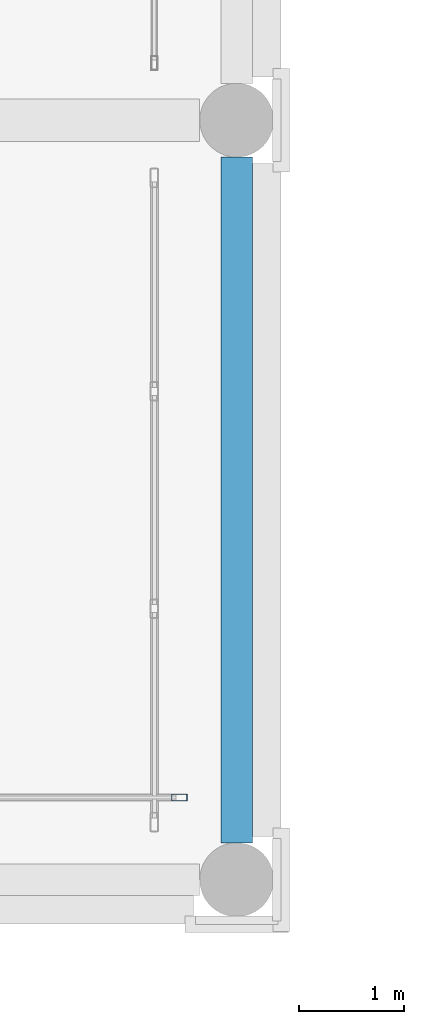
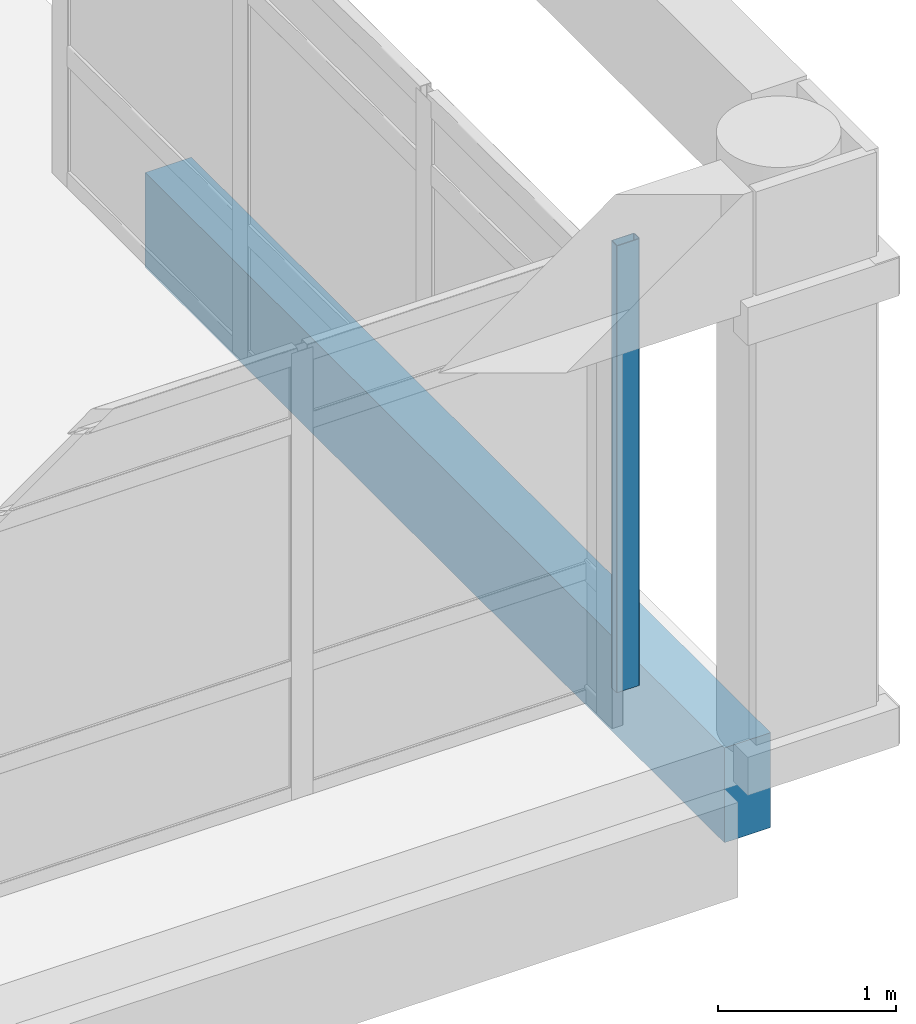
# One storey, part 49 of 180: 1 beam, 1 member, 1 element without a shape of its own.
"""IFC4 building model written with IfcOpenShell, lengths in metres."""

import ifcopenshell
import ifcopenshell.guid

model = None  # the IFC model being written
_history = None  # IfcOwnerHistory: only IFC2X3 demands one
_inside = {}  # id of a spatial element -> (the spatial element, [elements in it])
_under = {}  # id of a project, library or spatial element -> (it, [spatial elements below it])
_declared = {}  # id of a project -> (the project, [libraries it declares])
_typed = {}  # id of a type object -> (the type object, [elements of that type])
_made_of = {}  # id of a material, layer set ... -> (it, [elements and type objects made of it])


def new_model(schema):
    """Start an empty IFC model of exactly this schema.

    Asked for "IFC4X3", IfcOpenShell would pick the latest addendum, in which some entities
    have other attributes; the version numbers below select the first issue.
    IFC2X3 requires an IfcOwnerHistory on every rooted entity: one is made here for all.
    """
    global model, _history
    if schema == "IFC4X3":
        model = ifcopenshell.file(schema_version=(4, 3, 0, 0))
    else:
        model = ifcopenshell.file(schema=schema)
    _inside.clear()
    _under.clear()
    _declared.clear()
    _typed.clear()
    _made_of.clear()
    _history = None
    if model.schema == "IFC2X3":
        org = make("IfcOrganization", Name="unknown")
        user = make(
            "IfcPersonAndOrganization",
            ThePerson=make("IfcPerson", FamilyName="unknown"),
            TheOrganization=org,
        )
        app = make(
            "IfcApplication",
            ApplicationDeveloper=org,
            Version="unknown",
            ApplicationFullName="unknown",
            ApplicationIdentifier="unknown",
        )
        _history = make(
            "IfcOwnerHistory",
            OwningUser=user,
            OwningApplication=app,
            ChangeAction="ADDED",
            CreationDate=0,
        )
    return model


def make(cls, **values):
    """One entity of the class cls with the attributes given. An attribute that is None is left unset."""
    return model.create_entity(
        cls, **{name: value for name, value in values.items() if value is not None}
    )


def rooted(cls, **values):
    """An entity with a GlobalId (a new one), such as an element, a storey or a relation."""
    return make(cls, GlobalId=ifcopenshell.guid.new(), OwnerHistory=_history, **values)


def si_unit(unit_type, name, prefix=None):
    """IfcSIUnit, for example si_unit("LENGTHUNIT", "METRE", prefix="MILLI")."""
    return make("IfcSIUnit", UnitType=unit_type, Prefix=prefix, Name=name)


def assignment(units):
    """IfcUnitAssignment: the units of a project."""
    return None if units is None else make("IfcUnitAssignment", Units=units)


def point(xyz):
    """IfcCartesianPoint."""
    return None if xyz is None else make("IfcCartesianPoint", Coordinates=xyz)


def direction(xyz):
    """IfcDirection."""
    return None if xyz is None else make("IfcDirection", DirectionRatios=xyz)


def frame(location, z_axis=None, x_axis=None):
    """IfcAxis2Placement3D, a coordinate frame: its origin and axes. An axis left out is left unset."""
    return make(
        "IfcAxis2Placement3D",
        Location=point(location),
        Axis=direction(z_axis),
        RefDirection=direction(x_axis),
    )


def frame_2d(location, x_axis=None):
    """IfcAxis2Placement2D, a coordinate frame in the plane: its origin and x axis."""
    return make(
        "IfcAxis2Placement2D", Location=point(location), RefDirection=direction(x_axis)
    )


def origin():
    """The frame at (0, 0, 0) with its axes left unset."""
    return frame((0.0, 0.0, 0.0))


def origin_2d():
    """The frame at (0, 0) in the plane with its x axis left unset."""
    return frame_2d((0.0, 0.0))


def place(relative_to, where):
    """IfcLocalPlacement: puts the frame where relative to a parent placement (None: the world)."""
    return make(
        "IfcLocalPlacement", PlacementRelTo=relative_to, RelativePlacement=where
    )


def context(
    kind, dimensions, precision=None, world=None, true_north=None, identifier=None
):
    """IfcGeometricRepresentationContext, for example the 3D "Model" context."""
    return make(
        "IfcGeometricRepresentationContext",
        ContextIdentifier=identifier,
        ContextType=kind,
        CoordinateSpaceDimension=dimensions,
        Precision=precision,
        WorldCoordinateSystem=world,
        TrueNorth=true_north,
    )


def subcontext(parent, identifier, kind, view, scale=None):
    """IfcGeometricRepresentationSubContext, for example "Body" below "Model"."""
    return make(
        "IfcGeometricRepresentationSubContext",
        ContextIdentifier=identifier,
        ContextType=kind,
        ParentContext=parent,
        TargetScale=scale,
        TargetView=view,
    )


def project(units=None, contexts=None):
    """IfcProject with its units and contexts."""
    return rooted(
        "IfcProject",
        Name="project",
        RepresentationContexts=contexts,
        UnitsInContext=assignment(units),
    )


def spatial(cls, under=None, at=None, **own):
    """A site, building, storey or space (cls), placed at a placement, below another one or the project."""
    s = rooted(cls, ObjectPlacement=at, **own)
    if under is not None:
        _under.setdefault(under.id(), (under, []))[1].append(s)
    return s


def profile(cls, at=None, kind="AREA", **sizes):
    """A parametric profile (cls). Its sizes go by their IFC names, for example OverallWidth=200.0."""
    return make(cls, ProfileType=kind, Position=at, **sizes)


def rectangle(**sizes):
    """IfcRectangleProfileDef."""
    return profile("IfcRectangleProfileDef", **sizes)


def hollow_rectangle(**sizes):
    """IfcRectangleHollowProfileDef."""
    return profile("IfcRectangleHollowProfileDef", **sizes)


def extrude(swept, where, along, depth):
    """IfcExtrudedAreaSolid: the profile swept, set in the frame where, extruded along a direction by depth."""
    return make(
        "IfcExtrudedAreaSolid",
        SweptArea=swept,
        Position=where,
        ExtrudedDirection=direction(along),
        Depth=depth,
    )


def shape(context_of_items, identifier, shape_type, items):
    """IfcShapeRepresentation: the items that make up one representation, for example the "Body"."""
    return make(
        "IfcShapeRepresentation",
        ContextOfItems=context_of_items,
        RepresentationIdentifier=identifier,
        RepresentationType=shape_type,
        Items=items,
    )


def material(Name=None, Category=None):
    """IfcMaterial."""
    return make("IfcMaterial", Name=Name, Category=Category)


def layer(
    of_material, thickness, ventilated=None, Name=None, Category=None, Priority=None
):
    """IfcMaterialLayer: one layer of a wall or slab, of a material (None: an air gap)."""
    return make(
        "IfcMaterialLayer",
        Material=of_material,
        LayerThickness=thickness,
        IsVentilated=ventilated,
        Name=Name,
        Category=Category,
        Priority=Priority,
    )


def layer_set(layers, Name=None):
    """IfcMaterialLayerSet."""
    return make("IfcMaterialLayerSet", MaterialLayers=layers, LayerSetName=Name)


def material_profile(
    of_material, cross_section, Name=None, Category=None, Priority=None
):
    """IfcMaterialProfile: a cross section and its material."""
    return make(
        "IfcMaterialProfile",
        Name=Name,
        Material=of_material,
        Profile=cross_section,
        Priority=Priority,
        Category=Category,
    )


def profile_set(profiles, Name=None, composite=None):
    """IfcMaterialProfileSet."""
    return make(
        "IfcMaterialProfileSet",
        Name=Name,
        MaterialProfiles=profiles,
        CompositeProfile=composite,
    )


def made_of(thing, what):
    """Note that an element or type object is made of a material, layer set ...; save() writes the relation."""
    if what is not None:
        _made_of.setdefault(what.id(), (what, []))[1].append(thing)
    return thing


def type_object(cls, material=None, **own):
    """A type object (cls), such as IfcWallType, which elements share."""
    return made_of(rooted(cls, **own), material)


def element(
    cls,
    number,
    at=None,
    inside=None,
    cuts=None,
    type_object=None,
    material=None,
    context=None,
    identifier="Body",
    shape_type=None,
    held_by="IfcProductDefinitionShape",
    body=None,
    shapes=None,
    **own,
):
    """One element of the class cls, such as IfcWall. Its Tag is "e" and its number.

    at: its placement. inside: the storey or other place that contains it. cuts: it is an
    opening in that element (IfcRelVoidsElement). A single representation is given by context,
    identifier, shape_type and body (its items); several are given by shapes. held_by: the class
    of the entity that holds the representations. save() writes the other relations.
    """
    e = rooted(cls, Tag="e%d" % number, ObjectPlacement=at, **own)
    if body is not None:
        shapes = [shape(context, identifier, shape_type, body)]
    if shapes is not None:
        e.Representation = make(held_by, Representations=shapes)
    if inside is not None:
        _inside.setdefault(inside.id(), (inside, []))[1].append(e)
    if cuts is not None:
        rooted(
            "IfcRelVoidsElement", RelatingBuildingElement=cuts, RelatedOpeningElement=e
        )
    if type_object is not None:
        _typed.setdefault(type_object.id(), (type_object, []))[1].append(e)
    return made_of(e, material)


def aggregate(whole, parts):
    """IfcRelAggregates: a whole, such as a stair, and the parts it consists of."""
    return rooted("IfcRelAggregates", RelatingObject=whole, RelatedObjects=parts)


def save(model, path):
    """Write the relations noted so far, then the file.

    IfcRelAggregates (storeys below a building ...), IfcRelContainedInSpatialStructure (elements
    in a storey), IfcRelDefinesByType, IfcRelAssociatesMaterial and IfcRelDeclares: one each for
    every whole, place, type object, material and project.
    """
    for whole, parts in _under.values():
        aggregate(whole, parts)
    for where, things in _inside.values():
        rooted(
            "IfcRelContainedInSpatialStructure",
            RelatedElements=things,
            RelatingStructure=where,
        )
    for kind, things in _typed.values():
        rooted("IfcRelDefinesByType", RelatedObjects=things, RelatingType=kind)
    for what, things in _made_of.values():
        rooted("IfcRelAssociatesMaterial", RelatedObjects=things, RelatingMaterial=what)
    for by, libraries in _declared.values():
        rooted("IfcRelDeclares", RelatingContext=by, RelatedDefinitions=libraries)
    model.write(path)


model = new_model("IFC4")

# Units and contexts
model_context = context("Model", 3, precision=1e-05, world=origin(), true_north=direction((0.0, 1.0)))
body_context = subcontext(model_context, "Body", "Model", "MODEL_VIEW")
ifc_project = project(units=[si_unit("LENGTHUNIT", "METRE"), si_unit("AREAUNIT", "SQUARE_METRE"), si_unit("VOLUMEUNIT", "CUBIC_METRE"), si_unit("PLANEANGLEUNIT", "RADIAN"), si_unit("MASSUNIT", "GRAM", prefix="KILO")], contexts=[model_context])

# Site, building, storey
site_placement = place(None, origin())
site = spatial("IfcSite", under=ifc_project, at=site_placement, CompositionType="ELEMENT")
building_placement = place(site_placement, origin())
building = spatial("IfcBuilding", under=site, at=building_placement, Name="Asteropetra Specialist Clinic", CompositionType="ELEMENT")
storey_placement = place(building_placement, frame((0.0, 0.0, 4.419921875)))
storey = spatial("IfcBuildingStorey", under=building, at=storey_placement, Name="L01", CompositionType="ELEMENT", Elevation=4.419921875)

# Curtain wall, member
ifc_material_1 = material(Name="Aluminium and low-E glass", Category="aluminium")
ifc_layer = layer(ifc_material_1, 0.14990234375)
ifc_layer_set = layer_set([ifc_layer], Name="Aluminium and low-E glass")
curtain_wall_type = type_object("IfcCurtainWallType", Name="CW-SYS-11", PredefinedType="USERDEFINED", material=ifc_layer_set)
curtain_wall_placement = place(storey_placement, origin())
curtain_wall = element("IfcCurtainWall", 1, at=curtain_wall_placement, inside=storey, type_object=curtain_wall_type, Name="Curtain Wall CW-157", ObjectType="STICK GLAZED COLONNADE", PredefinedType="USERDEFINED")
ifc_material_2 = material(Name="Aluminium 6063-T6", Category="aluminium")
ifc_material_profile_1 = material_profile(ifc_material_2, hollow_rectangle(XDim=0.06494140625, YDim=0.14990234375, WallThickness=0.00390625, InnerFilletRadius=0.00390625, OuterFilletRadius=0.008056640625, at=origin_2d()), Name="MUL 150x65x4.0")
ifc_profile_set_1 = profile_set([ifc_material_profile_1], Name="Aluminium 6063-T6")
member_type = type_object("IfcMemberType", Name="CWM-150x65", PredefinedType="MULLION", material=ifc_profile_set_1)
member_placement = place(storey_placement, frame((47.45751953125, 34.3798828125, 0.0), z_axis=(0.0, 0.0, 1.0), x_axis=(0.0, 1.0, 0.0)))
member = element("IfcMember", 2, at=member_placement, type_object=member_type, Name="CW-157 mullion 5", PredefinedType="MULLION", context=body_context, shape_type="SweptSolid", body=[
    extrude(hollow_rectangle(XDim=0.06494140625, YDim=0.14990234375, WallThickness=0.00390625, InnerFilletRadius=0.00390625, OuterFilletRadius=0.008056640625, at=origin_2d()), origin(), (0.0, 0.0, 1.0), 3.06005859375),
])
aggregate(curtain_wall, [member])

# Beam
ifc_material_3 = material(Name="Concrete C35/45", Category="concrete")
ifc_material_profile_2 = material_profile(ifc_material_3, rectangle(XDim=0.300048828125, YDim=0.64990234375, at=origin_2d()), Name="RCS 300x650")
ifc_profile_set_2 = profile_set([ifc_material_profile_2], Name="Concrete C35/45")
beam_type = type_object("IfcBeamType", Name="SPN-RC300x650", PredefinedType="SPANDREL", material=ifc_profile_set_2)
beam_placement = place(storey_placement, frame((48.0, 33.949951171875, -0.625), z_axis=(0.0, 1.0, 0.0), x_axis=(-1.0, 0.0, 0.0)))
element("IfcBeam", 3, at=beam_placement, inside=storey, type_object=beam_type, Name="Beam BSPN03-0339", PredefinedType="SPANDREL", context=body_context, shape_type="SweptSolid", body=[
    extrude(rectangle(XDim=0.300048828125, YDim=0.64990234375, at=origin_2d()), origin(), (0.0, 0.0, 1.0), 6.5),
])

save(model, "model.ifc")
